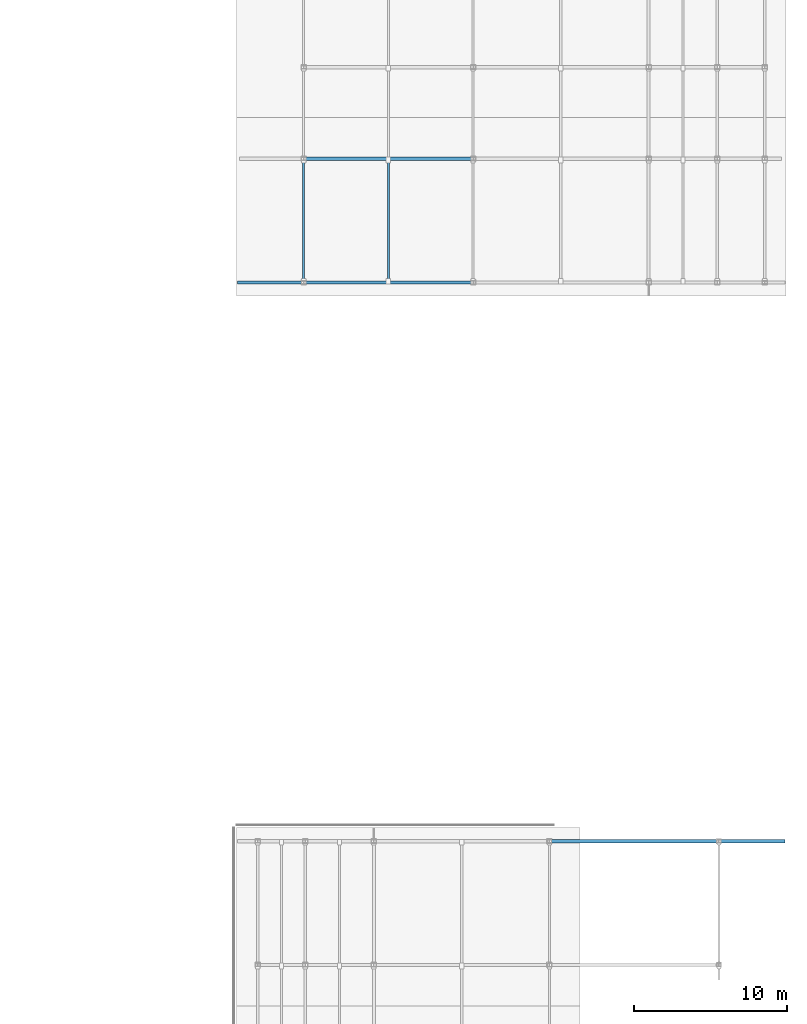
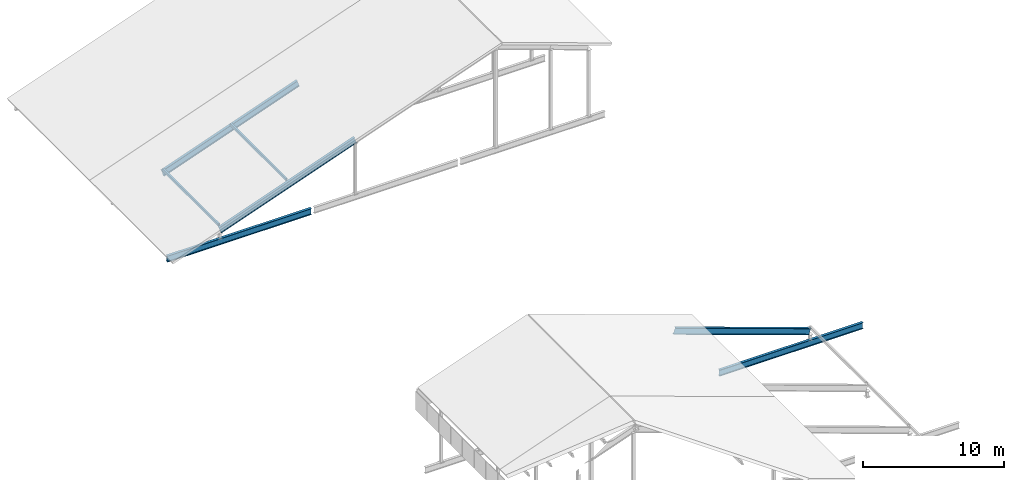
# One storey, part 27 of 42: 5 beams, 2 members.
"""IFC4 building model written with IfcOpenShell, lengths in metres."""

from ifc_helpers import new_model, si_unit, direction, frame, origin, origin_2d, place, context, subcontext, project, spatial, hollow_rectangle, i_section, extrude, material, material_profile, profile_set, type_object, element, save


model = new_model("IFC4")

# Units and contexts
model_context = context("Model", 3, precision=1e-05, world=origin(), true_north=direction((0.0, 1.0)))
body_context = subcontext(model_context, "Body", "Model", "MODEL_VIEW")
ifc_project = project(units=[si_unit("LENGTHUNIT", "METRE"), si_unit("AREAUNIT", "SQUARE_METRE"), si_unit("VOLUMEUNIT", "CUBIC_METRE"), si_unit("PLANEANGLEUNIT", "RADIAN"), si_unit("MASSUNIT", "GRAM", prefix="KILO")], contexts=[model_context])

# Site, building, storey
site_placement = place(None, origin())
site = spatial("IfcSite", under=ifc_project, at=site_placement, CompositionType="ELEMENT")
building_placement = place(site_placement, origin())
building = spatial("IfcBuilding", under=site, at=building_placement, Name="Kelmvaro Bay Concert Hall", CompositionType="ELEMENT")
storey_placement = place(building_placement, frame((0.0, 0.0, 26.699951171875)))
storey = spatial("IfcBuildingStorey", under=building, at=storey_placement, Name="RF", CompositionType="ELEMENT", Elevation=26.699951171875)

# Members
ifc_material_1 = material(Name="Steel ASTM A500 Grade C", Category="steel")
ifc_material_profile_1 = material_profile(ifc_material_1, hollow_rectangle(XDim=0.139892578125, YDim=0.219970703125, WallThickness=0.010009765625, at=origin_2d()), Name="HSS220X140X10")
ifc_profile_set_1 = profile_set([ifc_material_profile_1], Name="Steel ASTM A500 Grade C")
member_type = type_object("IfcMemberType", Name="Crystal Roof Eave Purlin HSS220x140x10", PredefinedType="PURLIN", material=ifc_profile_set_1)
for number, where, z_axis, x_axis, name in (
    (1, (136.39990234375, 74.784912109375, -7.30859375), (0.0, 1.0, 0.0), (-1.0, 0.0, 0.0), "V2 Crystal Roof Purlin 033"),
    (2, (141.949951171875, 74.784912109375, -5.34326171875), (0.0, 1.0, 0.0), (-1.0, 0.0, 0.0), "V2 Crystal Roof Purlin 036"),
):
    element("IfcMember", number, at=place(storey_placement, frame(where, z_axis=z_axis, x_axis=x_axis)), inside=storey, type_object=member_type, Name=name, PredefinedType="PURLIN", context=body_context, shape_type="SweptSolid", body=[
        extrude(hollow_rectangle(XDim=0.139892578125, YDim=0.219970703125, WallThickness=0.010009765625, at=origin_2d()), origin(), (0.0, 0.0, 1.0), 7.93017578125),
    ])

# Beams
ifc_material_2 = material(Name="Steel ASTM A992 Grade 50", Category="steel")
ifc_material_profile_2 = material_profile(ifc_material_2, i_section(OverallWidth=0.2119140625, OverallDepth=0.5439453125, WebThickness=0.01318359375, FlangeThickness=0.021240234375, at=origin_2d()), Name="W21X83")
ifc_profile_set_2 = profile_set([ifc_material_profile_2], Name="Steel ASTM A992 Grade 50")
beam_type_1 = type_object("IfcBeamType", Name="Crystal Roof Sloped Rafter W21x83", PredefinedType="BEAM", material=ifc_profile_set_2)
for number, where, z_axis, x_axis, name in (
    (3, (136.39990234375, 74.699951171875, -7.686767578125), (0.942637283298, 0.0, 0.333818741441), (0.0, 1.0, 0.0), "V2 Crystal Roof Rafter 027"),
    (4, (136.39990234375, 82.800048828125, -7.686767578125), (0.942637283298, 0.0, 0.333818741441), (0.0, 1.0, 0.0), "V2 Crystal Roof Rafter 032"),
):
    element("IfcBeam", number, at=place(storey_placement, frame(where, z_axis=z_axis, x_axis=x_axis)), inside=storey, type_object=beam_type_1, Name=name, PredefinedType="BEAM", context=body_context, shape_type="SweptSolid", body=[
        extrude(i_section(OverallWidth=0.2119140625, OverallDepth=0.5439453125, WebThickness=0.01318359375, FlangeThickness=0.021240234375, at=origin_2d()), origin(), (0.0, 0.0, 1.0), 11.775634765625),
    ])
beam_1_placement = place(storey_placement, frame((152.5, 38.10009765625, 0.14404296875), z_axis=(0.942643807151, 0.0, -0.333800318813), x_axis=(0.0, 1.0, 0.0)))
element("IfcBeam", 5, at=beam_1_placement, inside=storey, type_object=beam_type_1, Name="V4 Crystal Roof Rafter 069", PredefinedType="BEAM", context=body_context, shape_type="SweptSolid", body=[
    extrude(i_section(OverallWidth=0.2119140625, OverallDepth=0.5439453125, WebThickness=0.01318359375, FlangeThickness=0.021240234375, at=origin_2d()), origin(), (0.0, 0.0, 1.0), 11.775390625),
])
ifc_material_3 = material(Name="Steel ASTM A992 Grade 50", Category="steel")
ifc_material_profile_3 = material_profile(ifc_material_3, i_section(OverallWidth=0.2099609375, OverallDepth=0.535888671875, WebThickness=0.010986328125, FlangeThickness=0.017333984375, at=origin_2d()), Name="W21X68")
ifc_profile_set_3 = profile_set([ifc_material_profile_3], Name="Steel ASTM A992 Grade 50")
beam_type_2 = type_object("IfcBeamType", Name="Crystal Roof Tie Girder W21x68", PredefinedType="BEAM", material=ifc_profile_set_3)
beam_2_placement = place(storey_placement, frame((132.080078125, 74.699951171875, -8.66796875), z_axis=(1.0, 0.0, 0.0), x_axis=(0.0, 1.0, 0.0)))
element("IfcBeam", 6, at=beam_2_placement, inside=storey, type_object=beam_type_2, Name="V2 Crystal Roof Tie Girder 024", PredefinedType="BEAM", context=body_context, shape_type="SweptSolid", body=[
    extrude(i_section(OverallWidth=0.2099609375, OverallDepth=0.535888671875, WebThickness=0.010986328125, FlangeThickness=0.017333984375, at=origin_2d()), origin(), (0.0, 0.0, 1.0), 11.7998046875),
])
beam_3_placement = place(storey_placement, frame((156.1650390625, 38.10009765625, -4.76806640625), z_axis=(1.0, 0.0, 0.0), x_axis=(0.0, 1.0, 0.0)))
element("IfcBeam", 7, at=beam_3_placement, inside=storey, type_object=beam_type_2, Name="V4 Crystal Roof Tie Girder 065", PredefinedType="BEAM", context=body_context, shape_type="SweptSolid", body=[
    extrude(i_section(OverallWidth=0.2099609375, OverallDepth=0.535888671875, WebThickness=0.010986328125, FlangeThickness=0.017333984375, at=origin_2d()), origin(), (0.0, 0.0, 1.0), 11.7548828125),
])

save(model, "model.ifc")
